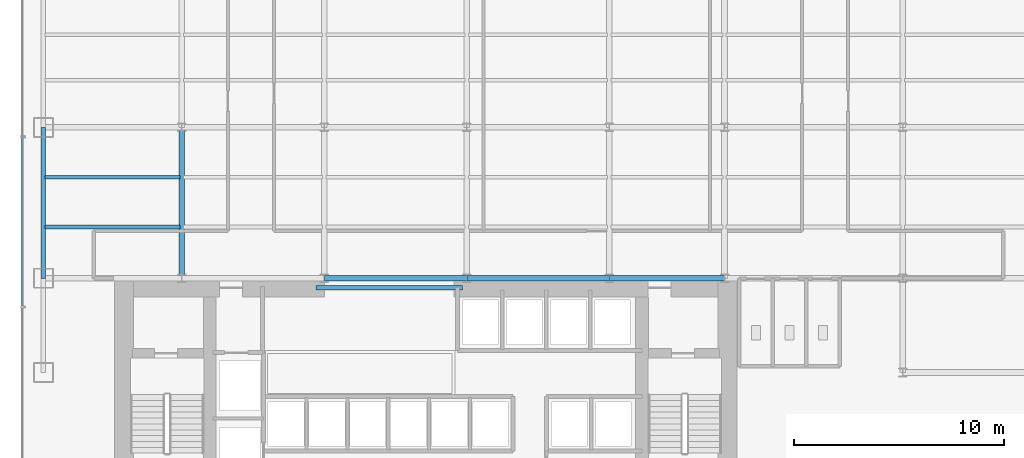
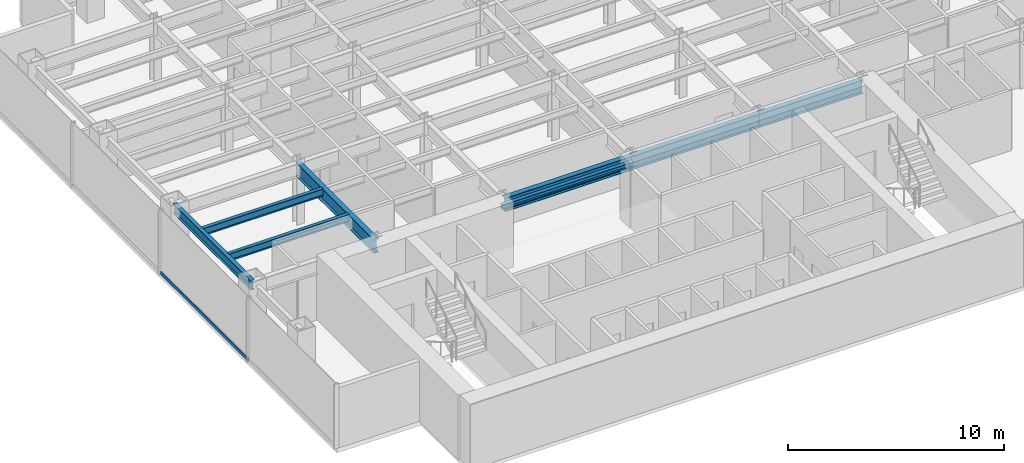
# One storey, part 3 of 22: 8 beams, 1 member, 1 element without a shape of its own.
"""IFC4 building model written with IfcOpenShell, lengths in metres."""

from ifc_helpers import new_model, si_unit, derived_unit, direction, frame, origin, origin_2d, place, context, subcontext, project, spatial, hollow_rectangle, i_section, extrude, source, transform, mapped, material, material_profile, profile_set, type_object, element, aggregate, save


model = new_model("IFC4")

# Units and contexts
model_context = context("Model", 3, precision=1e-05, world=origin(), true_north=direction((0.0, 1.0)))
body_context = subcontext(model_context, "Body", "Model", "MODEL_VIEW")
ifc_project = project(units=[si_unit("LENGTHUNIT", "METRE"), si_unit("AREAUNIT", "SQUARE_METRE"), si_unit("VOLUMEUNIT", "CUBIC_METRE"), si_unit("PLANEANGLEUNIT", "RADIAN"), si_unit("MASSUNIT", "GRAM", prefix="KILO"), derived_unit("THERMALTRANSMITTANCEUNIT", [(si_unit("POWERUNIT", "WATT"), 1), (si_unit("LENGTHUNIT", "METRE"), -2), (si_unit("THERMODYNAMICTEMPERATUREUNIT", "KELVIN"), -1)])], contexts=[model_context])

# Site, building, storey
site_placement = place(None, origin())
site = spatial("IfcSite", under=ifc_project, at=site_placement, CompositionType="ELEMENT")
building_placement = place(site_placement, origin())
building = spatial("IfcBuilding", under=site, at=building_placement, Name="Skarnbrae Concourse Arena and Tower", CompositionType="ELEMENT")
storey_placement = place(building_placement, frame((0.0, 0.0, 72.64990234375)))
storey = spatial("IfcBuildingStorey", under=building, at=storey_placement, Name="L17", CompositionType="ELEMENT", Elevation=72.64990234375)

# Beams
ifc_material_1 = material(Name="Steel CSA G40.21 350W", Category="steel")
ifc_material_profile_1 = material_profile(ifc_material_1, i_section(OverallWidth=0.202880859375, OverallDepth=0.251953125, WebThickness=0.008056640625, FlangeThickness=0.013427734375, at=origin_2d()), Name="W250X58")
ifc_profile_set_1 = profile_set([ifc_material_profile_1], Name="Steel CSA G40.21 350W")
beam_type_1 = type_object("IfcBeamType", Name="BM-LINTEL-W250X58", PredefinedType="LINTEL", material=ifc_profile_set_1)
shared_shape_1 = source(origin(), body_context, "Body", "SweptSolid", [
    extrude(i_section(OverallWidth=0.202880859375, OverallDepth=0.251953125, WebThickness=0.008056640625, FlangeThickness=0.013427734375, at=origin_2d()), origin(), (0.0, 0.0, 1.0), 7.0),
])
beam_1_placement = place(storey_placement, frame((14.0, 13.550048828125, 3.274169921875), z_axis=(1.0, 0.0, 0.0), x_axis=(0.0, 1.0, 0.0)))
element("IfcBeam", 1, at=beam_1_placement, inside=storey, type_object=beam_type_1, Name="L17 Core portal coupling lintel", PredefinedType="LINTEL", context=body_context, shape_type="MappedRepresentation", body=[
    mapped(shared_shape_1, transform((0.0, 0.0, 0.0))),
])
ifc_material_profile_2 = material_profile(ifc_material_1, i_section(OverallWidth=0.26806640625, OverallDepth=0.77001953125, WebThickness=0.015625, FlangeThickness=0.025390625, at=origin_2d()), Name="W760X196")
ifc_profile_set_2 = profile_set([ifc_material_profile_2], Name="Steel CSA G40.21 350W")
beam_type_2 = type_object("IfcBeamType", Name="BM-GIRD-W760X196", PredefinedType="BEAM", material=ifc_profile_set_2)
shared_shape_2 = source(origin(), body_context, "Body", "SweptSolid", [
    extrude(i_section(OverallWidth=0.26806640625, OverallDepth=0.77001953125, WebThickness=0.015625, FlangeThickness=0.025390625, at=origin_2d()), origin(), (0.0, 0.0, 1.0), 6.800048828125),
])
for number, where, z_axis, x_axis, name in (
    (2, (14.39990234375, 14.0, 3.01513671875), (1.0, 0.0, 0.0), (0.0, 1.0, 0.0), "L17 Primary E-W girder Y14.0-3"),
    (3, (21.199951171875, 14.0, 3.01513671875), (1.0, 0.0, 0.0), (0.0, 1.0, 0.0), "L17 Primary E-W girder Y14.0-4"),
):
    element("IfcBeam", number, at=place(storey_placement, frame(where, z_axis=z_axis, x_axis=x_axis)), inside=storey, type_object=beam_type_2, Name=name, PredefinedType="BEAM", context=body_context, shape_type="MappedRepresentation", body=[
        mapped(shared_shape_2, transform((0.0, 0.0, 0.0))),
    ])
shared_shape_3 = source(origin(), body_context, "Body", "SweptSolid", [
    extrude(i_section(OverallWidth=0.26806640625, OverallDepth=0.77001953125, WebThickness=0.015625, FlangeThickness=0.025390625, at=origin_2d()), origin(), (0.0, 0.0, 1.0), 5.5),
])
beam_2_placement = place(storey_placement, frame((28.0, 14.0, 3.01513671875), z_axis=(1.0, 0.0, 0.0), x_axis=(0.0, 1.0, 0.0)))
element("IfcBeam", 4, at=beam_2_placement, inside=storey, type_object=beam_type_2, Name="L17 Primary E-W girder Y14.0-5", PredefinedType="BEAM", context=body_context, shape_type="MappedRepresentation", body=[
    mapped(shared_shape_3, transform((0.0, 0.0, 0.0))),
])
ifc_material_profile_3 = material_profile(ifc_material_1, i_section(OverallWidth=0.214111328125, OverallDepth=0.549072265625, WebThickness=0.0146484375, FlangeThickness=0.023681640625, at=origin_2d()), Name="W530X138")
ifc_profile_set_3 = profile_set([ifc_material_profile_3], Name="Steel CSA G40.21 350W")
beam_type_3 = type_object("IfcBeamType", Name="BM-SPAN-W530X138", PredefinedType="SPANDREL", material=ifc_profile_set_3)
shared_shape_4 = source(origin(), body_context, "Body", "SweptSolid", [
    extrude(i_section(OverallWidth=0.214111328125, OverallDepth=0.549072265625, WebThickness=0.0146484375, FlangeThickness=0.023681640625, at=origin_2d()), origin(), (0.0, 0.0, 1.0), 7.199951171875),
])
beam_3_placement = place(storey_placement, frame((1.0, 14.0, 3.12548828125), z_axis=(0.0, 1.0, 0.0), x_axis=(-1.0, 0.0, 0.0)))
element("IfcBeam", 5, at=beam_3_placement, inside=storey, type_object=beam_type_3, Name="L17 Perimeter spandrel X1.0-2", PredefinedType="SPANDREL", context=body_context, shape_type="MappedRepresentation", body=[
    mapped(shared_shape_4, transform((0.0, 0.0, 0.0))),
])
shared_shape_5 = source(origin(), body_context, "Body", "SweptSolid", [
    extrude(i_section(OverallWidth=0.26806640625, OverallDepth=0.77001953125, WebThickness=0.015625, FlangeThickness=0.025390625, at=origin_2d()), origin(), (0.0, 0.0, 1.0), 7.199951171875),
])
beam_4_placement = place(storey_placement, frame((7.60009765625, 14.0, 3.01513671875), z_axis=(0.0, 1.0, 0.0), x_axis=(-1.0, 0.0, 0.0)))
element("IfcBeam", 6, at=beam_4_placement, inside=storey, type_object=beam_type_2, Name="L17 Primary N-S girder X7.6-1", PredefinedType="BEAM", context=body_context, shape_type="MappedRepresentation", body=[
    mapped(shared_shape_5, transform((0.0, 0.0, 0.0))),
])
ifc_material_profile_4 = material_profile(ifc_material_1, i_section(OverallWidth=0.180908203125, OverallDepth=0.4169921875, WebThickness=0.010986328125, FlangeThickness=0.018310546875, at=origin_2d()), Name="W410X85")
ifc_profile_set_4 = profile_set([ifc_material_profile_4], Name="Steel CSA G40.21 350W")
beam_type_4 = type_object("IfcBeamType", Name="BM-JOIST-W410X85", PredefinedType="JOIST", material=ifc_profile_set_4)
shared_shape_6 = source(origin(), body_context, "Body", "SweptSolid", [
    extrude(i_section(OverallWidth=0.180908203125, OverallDepth=0.4169921875, WebThickness=0.010986328125, FlangeThickness=0.018310546875, at=origin_2d()), origin(), (0.0, 0.0, 1.0), 6.43994140625),
])
for number, where, z_axis, x_axis, name in (
    (7, (1.080078125, 16.447998046875, 3.191650390625), (1.0, 0.0, 0.0), (0.0, 1.0, 0.0), "L17 Secondary floor joist 1.1.1"),
    (8, (1.080078125, 18.823974609375, 3.191650390625), (1.0, 0.0, 0.0), (0.0, 1.0, 0.0), "L17 Secondary floor joist 1.2.1"),
):
    element("IfcBeam", number, at=place(storey_placement, frame(where, z_axis=z_axis, x_axis=x_axis)), inside=storey, type_object=beam_type_4, Name=name, PredefinedType="JOIST", context=body_context, shape_type="MappedRepresentation", body=[
        mapped(shared_shape_6, transform((0.0, 0.0, 0.0))),
    ])

# Curtain wall, member
ifc_material_2 = material(Name="Bronze anodised aluminium 6063-T6", Category="aluminium")
curtain_wall_type = type_object("IfcCurtainWallType", Name="CW-SYS-02-LOWZONE", PredefinedType="USERDEFINED", material=ifc_material_2)
curtain_wall_placement = place(storey_placement, origin())
curtain_wall = element("IfcCurtainWall", 9, at=curtain_wall_placement, inside=storey, type_object=curtain_wall_type, Name="L17 Unitised curtain wall CW-L17-E19", ObjectType="UNITISED CURTAIN WALL", PredefinedType="USERDEFINED")
ifc_material_profile_5 = material_profile(ifc_material_2, hollow_rectangle(XDim=0.080078125, YDim=0.18994140625, WallThickness=0.0048828125, at=origin_2d()), Name="ALU-TRAN-80X190")
ifc_profile_set_5 = profile_set([ifc_material_profile_5], Name="Bronze anodised aluminium 6063-T6")
member_type = type_object("IfcMemberType", Name="CWT-CW-02", PredefinedType="USERDEFINED", material=ifc_profile_set_5)
shared_shape_7 = source(origin(), body_context, "Body", "SweptSolid", [
    extrude(hollow_rectangle(XDim=0.080078125, YDim=0.18994140625, WallThickness=0.0048828125, at=origin_2d()), origin(), (0.0, 0.0, 1.0), 8.044921875),
])
member_placement = place(storey_placement, frame((0.0, 20.7099609375, 0.09521484375), z_axis=(0.0, -1.0, 0.0), x_axis=(1.0, 0.0, 0.0)))
member = element("IfcMember", 10, at=member_placement, type_object=member_type, Name="CW-L17-E19 Transom 3", ObjectType="TRANSOM", PredefinedType="USERDEFINED", context=body_context, shape_type="MappedRepresentation", body=[
    mapped(shared_shape_7, transform((0.0, 0.0, 0.0))),
])
aggregate(curtain_wall, [member])

save(model, "model.ifc")
